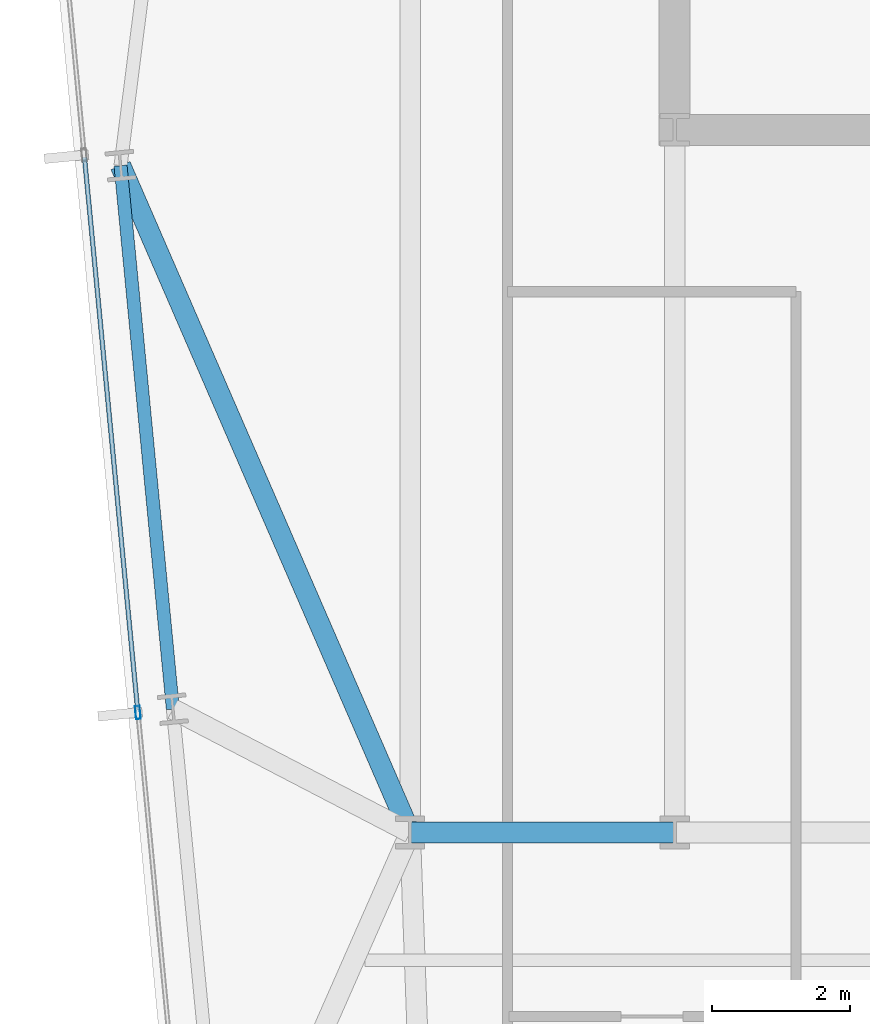
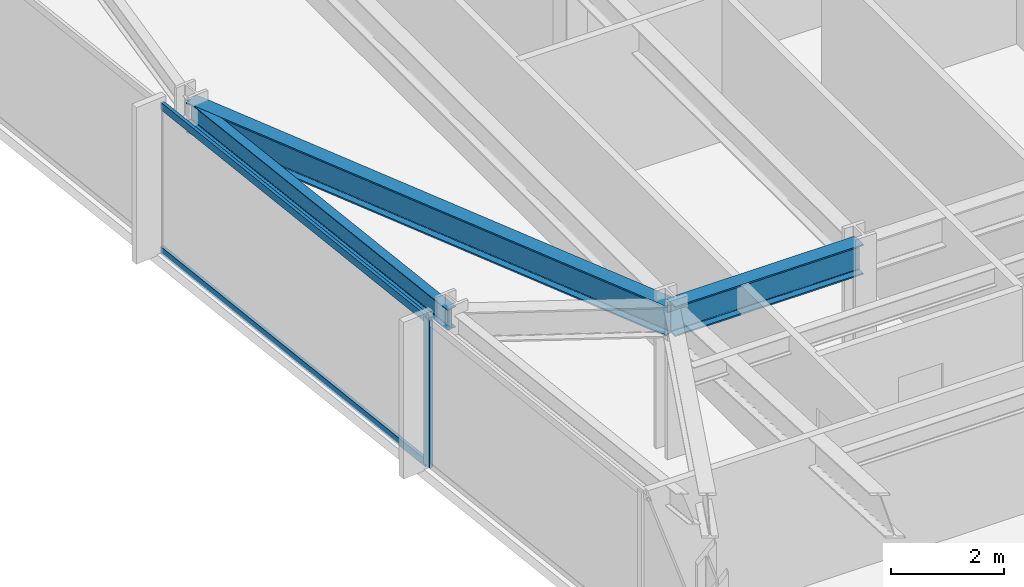
# One storey, part 6 of 33: 3 beams, 3 members, 1 element without a shape of its own.
"""IFC4 building model written with IfcOpenShell, lengths in metres."""

from ifc_helpers import new_model, si_unit, direction, frame, origin, origin_2d, place, context, subcontext, project, spatial, hollow_rectangle, i_section, extrude, material, material_profile, profile_set, type_object, element, aggregate, save


model = new_model("IFC4")

# Units and contexts
model_context = context("Model", 3, precision=1e-05, world=origin(), true_north=direction((0.0, 1.0)))
body_context = subcontext(model_context, "Body", "Model", "MODEL_VIEW")
ifc_project = project(units=[si_unit("LENGTHUNIT", "METRE"), si_unit("AREAUNIT", "SQUARE_METRE"), si_unit("VOLUMEUNIT", "CUBIC_METRE"), si_unit("PLANEANGLEUNIT", "RADIAN"), si_unit("MASSUNIT", "GRAM", prefix="KILO")], contexts=[model_context])

# Site, building, storey
site_placement = place(None, origin())
site = spatial("IfcSite", under=ifc_project, at=site_placement, CompositionType="ELEMENT")
building_placement = place(site_placement, origin())
building = spatial("IfcBuilding", under=site, at=building_placement, Name="Yelkora Congress Tower", CompositionType="ELEMENT")
storey_placement = place(building_placement, frame((0.0, 0.0, 127.10009765625)))
storey = spatial("IfcBuildingStorey", under=building, at=storey_placement, Name="L34", CompositionType="ELEMENT", Elevation=127.10009765625)

# Beams
ifc_material_1 = material(Name="Steel S355J2", Category="steel")
ifc_material_profile_1 = material_profile(ifc_material_1, i_section(OverallWidth=0.300048828125, OverallDepth=0.64990234375, WebThickness=0.01611328125, FlangeThickness=0.031005859375, FilletRadius=0.027099609375, at=origin_2d()), Name="HEB 650")
ifc_profile_set_1 = profile_set([ifc_material_profile_1], Name="Steel S355J2")
beam_type_1 = type_object("IfcBeamType", Name="BM-GIRD-HEB650", PredefinedType="BEAM", material=ifc_profile_set_1)
beam_1_placement = place(storey_placement, frame((19.199951171875, 25.199951171875, 2.85498046875), z_axis=(1.0, 0.0, 0.0), x_axis=(0.0, 1.0, 0.0)))
element("IfcBeam", 1, at=beam_1_placement, inside=storey, type_object=beam_type_1, Name="L34 Spine Grid D Girder 1", PredefinedType="BEAM", context=body_context, shape_type="SweptSolid", body=[
    extrude(i_section(OverallWidth=0.300048828125, OverallDepth=0.64990234375, WebThickness=0.01611328125, FlangeThickness=0.031005859375, FilletRadius=0.027099609375, at=origin_2d()), origin(), (0.0, 0.0, 1.0), 3.840087890625),
])
beam_2_placement = place(storey_placement, frame((14.997314453125, 34.87890625, 2.85498046875), z_axis=(0.398279362914, -0.917264165373, 0.0), x_axis=(0.917264165373, 0.398279362914, 0.0)))
element("IfcBeam", 2, at=beam_2_placement, inside=storey, type_object=beam_type_1, Name="L34 Primary Frame Girder W03", PredefinedType="BEAM", context=body_context, shape_type="SweptSolid", body=[
    extrude(i_section(OverallWidth=0.300048828125, OverallDepth=0.64990234375, WebThickness=0.01611328125, FlangeThickness=0.031005859375, FilletRadius=0.027099609375, at=origin_2d()), origin(), (0.0, 0.0, 1.0), 10.552001953125),
])
ifc_material_profile_2 = material_profile(ifc_material_1, i_section(OverallWidth=0.18994140625, OverallDepth=0.449951171875, WebThickness=0.009521484375, FlangeThickness=0.0146484375, FilletRadius=0.02099609375, at=origin_2d()), Name="IPE 450")
ifc_profile_set_2 = profile_set([ifc_material_profile_2], Name="Steel S355J2")
beam_type_2 = type_object("IfcBeamType", Name="BM-SPAN-IPE450", PredefinedType="SPANDREL", material=ifc_profile_set_2)
beam_3_placement = place(storey_placement, frame((14.997314453125, 34.87890625, 2.954833984375), z_axis=(0.095870310714, -0.995393833376, 0.0), x_axis=(0.995393833376, 0.095870310714, 0.0)))
element("IfcBeam", 3, at=beam_3_placement, inside=storey, type_object=beam_type_2, Name="L34 Perimeter Beam 19", PredefinedType="SPANDREL", context=body_context, shape_type="SweptSolid", body=[
    extrude(i_section(OverallWidth=0.18994140625, OverallDepth=0.449951171875, WebThickness=0.009521484375, FlangeThickness=0.0146484375, FilletRadius=0.02099609375, at=origin_2d()), origin(), (0.0, 0.0, 1.0), 7.925048828125),
])

# Curtain wall, members
ifc_material_2 = material(Name="Anodised aluminium and insulated glass", Category="aluminium")
curtain_wall_type = type_object("IfcCurtainWallType", Name="CW-SYS-B2", PredefinedType="NOTDEFINED", material=ifc_material_2)
curtain_wall_placement = place(storey_placement, origin())
curtain_wall = element("IfcCurtainWall", 4, at=curtain_wall_placement, inside=storey, type_object=curtain_wall_type, Name="L34 Unitised Curtain Wall 5", PredefinedType="NOTDEFINED")
ifc_material_3 = material(Name="Anodised aluminium 6063-T6", Category="aluminium")
ifc_material_profile_3 = material_profile(ifc_material_3, hollow_rectangle(XDim=0.070068359375, YDim=0.18994140625, WallThickness=0.00390625, at=origin_2d()), Name="ALU 70x190x4")
ifc_profile_set_3 = profile_set([ifc_material_profile_3], Name="Anodised aluminium 6063-T6")
member_type_1 = type_object("IfcMemberType", Name="MEM-ML-B2", PredefinedType="MULLION", material=ifc_profile_set_3)
member_1_placement = place(storey_placement, frame((15.249267578125, 26.941650390625, 0.0), z_axis=(0.0, 0.0, 1.0), x_axis=(-0.995396507508, -0.095842541913, 0.0)))
member_1 = element("IfcMember", 5, at=member_1_placement, type_object=member_type_1, Name="CW-B2 mullion 3", PredefinedType="MULLION", context=body_context, shape_type="SweptSolid", body=[
    extrude(hollow_rectangle(XDim=0.070068359375, YDim=0.18994140625, WallThickness=0.00390625, at=origin_2d()), origin(), (0.0, 0.0, 1.0), 3.179931640625),
])
ifc_material_profile_4 = material_profile(ifc_material_3, hollow_rectangle(XDim=0.06494140625, YDim=0.159912109375, WallThickness=0.00390625, at=origin_2d()), Name="ALU 65x160x4")
ifc_profile_set_4 = profile_set([ifc_material_profile_4], Name="Anodised aluminium 6063-T6")
member_type_2 = type_object("IfcMemberType", Name="MEM-TR-B2", PredefinedType="USERDEFINED", material=ifc_profile_set_4)
member_2_placement = place(storey_placement, frame((15.245849609375, 26.976318359375, 0.032470703125), z_axis=(-0.095838228465, 0.995396922823, 0.0), x_axis=(-0.995396922823, -0.095838228465, 0.0)))
member_2 = element("IfcMember", 6, at=member_2_placement, type_object=member_type_2, Name="CW-B2 transom 3.1", ObjectType="TRANSOM", PredefinedType="USERDEFINED", context=body_context, shape_type="SweptSolid", body=[
    extrude(hollow_rectangle(XDim=0.06494140625, YDim=0.159912109375, WallThickness=0.00390625, at=origin_2d()), origin(), (0.0, 0.0, 1.0), 8.06005859375),
])
member_3_placement = place(storey_placement, frame((15.245849609375, 26.976318359375, 3.1474609375), z_axis=(-0.095838228465, 0.995396922823, 0.0), x_axis=(-0.995396922823, -0.095838228465, 0.0)))
member_3 = element("IfcMember", 7, at=member_3_placement, type_object=member_type_2, Name="CW-B2 transom 3.2", ObjectType="TRANSOM", PredefinedType="USERDEFINED", context=body_context, shape_type="SweptSolid", body=[
    extrude(hollow_rectangle(XDim=0.06494140625, YDim=0.159912109375, WallThickness=0.00390625, at=origin_2d()), origin(), (0.0, 0.0, 1.0), 8.06005859375),
])
aggregate(curtain_wall, [member_1, member_2, member_3])

save(model, "model.ifc")
